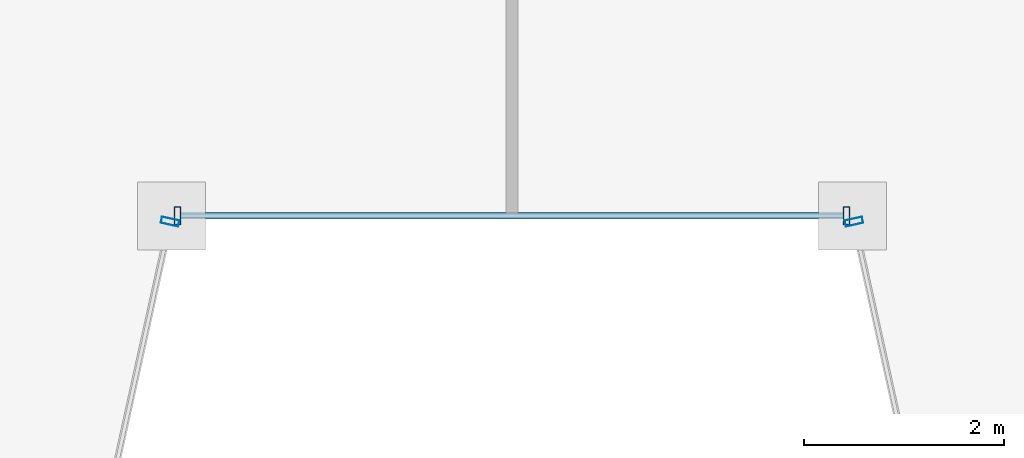
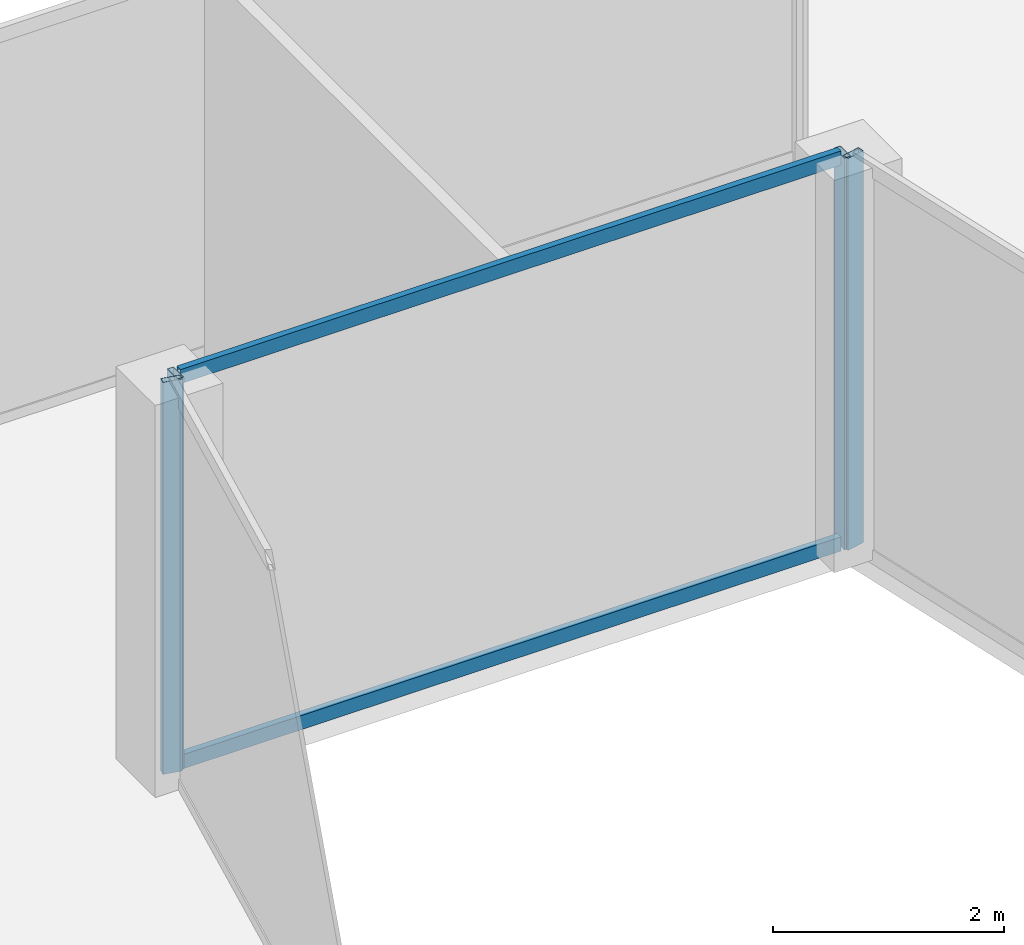
# One storey, part 9 of 40: 6 members, 3 elements without a shape of their own.
"""IFC4 building model written with IfcOpenShell, lengths in metres."""

from ifc_helpers import new_model, si_unit, direction, frame, origin, origin_2d, place, context, subcontext, project, spatial, hollow_rectangle, extrude, material, material_profile, profile_set, type_object, element, aggregate, save


model = new_model("IFC4")

# Units and contexts
model_context = context("Model", 3, precision=1e-05, world=origin(), true_north=direction((0.0, 1.0)))
body_context = subcontext(model_context, "Body", "Model", "MODEL_VIEW")
ifc_project = project(units=[si_unit("LENGTHUNIT", "METRE"), si_unit("AREAUNIT", "SQUARE_METRE"), si_unit("VOLUMEUNIT", "CUBIC_METRE"), si_unit("PLANEANGLEUNIT", "RADIAN"), si_unit("MASSUNIT", "GRAM", prefix="KILO")], contexts=[model_context])

# Site, building, storey
site_placement = place(None, origin())
site = spatial("IfcSite", under=ifc_project, at=site_placement, CompositionType="ELEMENT")
building_placement = place(site_placement, origin())
building = spatial("IfcBuilding", under=site, at=building_placement, Name="Saevonmaru Cultural Tower", CompositionType="ELEMENT")
storey_placement = place(building_placement, frame((0.0, 0.0, 97.199951171875)))
storey = spatial("IfcBuildingStorey", under=building, at=storey_placement, Name="L20", CompositionType="ELEMENT", Elevation=97.199951171875)

# Curtain wall, member
ifc_material = material(Name="Satin Bronze Anodised Aluminium", Category="aluminium")
curtain_wall_type = type_object("IfcCurtainWallType", Name="CW-TYP-A", PredefinedType="NOTDEFINED", material=ifc_material)
curtain_wall_1_placement = place(storey_placement, origin())
curtain_wall_1 = element("IfcCurtainWall", 1, at=curtain_wall_1_placement, inside=storey, type_object=curtain_wall_type, Name="L20 Unitised Curtain Wall E3", PredefinedType="NOTDEFINED")
ifc_material_profile_1 = material_profile(ifc_material, hollow_rectangle(XDim=0.06494140625, YDim=0.179931640625, WallThickness=0.00390625, at=origin_2d()), Name="ALU-MULL-180x65x4")
ifc_profile_set_1 = profile_set([ifc_material_profile_1], Name="Satin Bronze Anodised Aluminium")
member_type_1 = type_object("IfcMemberType", Name="ML-CW-180x65", PredefinedType="MULLION", material=ifc_profile_set_1)
member_1_placement = place(storey_placement, frame((26.587158203125, 15.54150390625, 0.0), z_axis=(0.0, 0.0, 1.0), x_axis=(0.215413319953, 0.976522965212, 0.0)))
member_1 = element("IfcMember", 2, at=member_1_placement, type_object=member_type_1, Name="CW-TW-L20-E3 mullion 2", PredefinedType="MULLION", context=body_context, shape_type="SweptSolid", body=[
    extrude(hollow_rectangle(XDim=0.06494140625, YDim=0.179931640625, WallThickness=0.00390625, at=origin_2d()), origin(), (0.0, 0.0, 1.0), 4.150146484375),
])
aggregate(curtain_wall_1, [member_1])

# Curtain wall, members
curtain_wall_2_placement = place(storey_placement, origin())
curtain_wall_2 = element("IfcCurtainWall", 3, at=curtain_wall_2_placement, inside=storey, type_object=curtain_wall_type, Name="L20 Unitised Curtain Wall E4", PredefinedType="NOTDEFINED")
member_2_placement = place(storey_placement, frame((26.659912109375, 15.60009765625, 0.0), z_axis=(0.0, 0.0, 1.0), x_axis=(1.0, 0.0, 0.0)))
member_2 = element("IfcMember", 4, at=member_2_placement, type_object=member_type_1, Name="CW-TW-L20-E4 mullion 1", PredefinedType="MULLION", context=body_context, shape_type="SweptSolid", body=[
    extrude(hollow_rectangle(XDim=0.06494140625, YDim=0.179931640625, WallThickness=0.00390625, at=origin_2d()), origin(), (0.0, 0.0, 1.0), 4.150146484375),
])
member_3_placement = place(storey_placement, frame((33.340087890625, 15.60009765625, 0.0), z_axis=(0.0, 0.0, 1.0), x_axis=(1.0, 0.0, 0.0)))
member_3 = element("IfcMember", 5, at=member_3_placement, type_object=member_type_1, Name="CW-TW-L20-E4 mullion 2", PredefinedType="MULLION", context=body_context, shape_type="SweptSolid", body=[
    extrude(hollow_rectangle(XDim=0.06494140625, YDim=0.179931640625, WallThickness=0.00390625, at=origin_2d()), origin(), (0.0, 0.0, 1.0), 4.150146484375),
])

# Curtain wall, member
curtain_wall_3_placement = place(storey_placement, origin())
curtain_wall_3 = element("IfcCurtainWall", 6, at=curtain_wall_3_placement, inside=storey, type_object=curtain_wall_type, Name="L20 Unitised Curtain Wall E5", PredefinedType="NOTDEFINED")
member_4_placement = place(storey_placement, frame((33.412841796875, 15.54150390625, 0.0), z_axis=(0.0, 0.0, 1.0), x_axis=(0.215413319953, -0.976522965212, 0.0)))
member_4 = element("IfcMember", 7, at=member_4_placement, type_object=member_type_1, Name="CW-TW-L20-E5 mullion 1", PredefinedType="MULLION", context=body_context, shape_type="SweptSolid", body=[
    extrude(hollow_rectangle(XDim=0.06494140625, YDim=0.179931640625, WallThickness=0.00390625, at=origin_2d()), origin(), (0.0, 0.0, 1.0), 4.150146484375),
])
aggregate(curtain_wall_3, [member_4])

# Member
ifc_material_profile_2 = material_profile(ifc_material, hollow_rectangle(XDim=0.06494140625, YDim=0.14990234375, WallThickness=0.00390625, at=origin_2d()), Name="ALU-TRAN-150x65x4")
ifc_profile_set_2 = profile_set([ifc_material_profile_2], Name="Satin Bronze Anodised Aluminium")
member_type_2 = type_object("IfcMemberType", Name="TR-CW-150x65", PredefinedType="USERDEFINED", material=ifc_profile_set_2)
member_5_placement = place(storey_placement, frame((26.6923828125, 15.60009765625, 0.032470703125), z_axis=(1.0, 0.0, 0.0), x_axis=(0.0, 1.0, 0.0)))
member_5 = element("IfcMember", 8, at=member_5_placement, type_object=member_type_2, Name="CW-TW-L20-E4 transom 1.1", ObjectType="TRANSOM", PredefinedType="USERDEFINED", context=body_context, shape_type="SweptSolid", body=[
    extrude(hollow_rectangle(XDim=0.06494140625, YDim=0.14990234375, WallThickness=0.00390625, at=origin_2d()), origin(), (0.0, 0.0, 1.0), 6.615234375),
])

member_6_placement = place(storey_placement, frame((26.6923828125, 15.60009765625, 4.117431640625), z_axis=(1.0, 0.0, 0.0), x_axis=(0.0, 1.0, 0.0)))
member_6 = element("IfcMember", 9, at=member_6_placement, type_object=member_type_2, Name="CW-TW-L20-E4 transom 1.2", ObjectType="TRANSOM", PredefinedType="USERDEFINED", context=body_context, shape_type="SweptSolid", body=[
    extrude(hollow_rectangle(XDim=0.06494140625, YDim=0.14990234375, WallThickness=0.00390625, at=origin_2d()), origin(), (0.0, 0.0, 1.0), 6.615234375),
])

aggregate(curtain_wall_2, [member_2, member_3, member_5, member_6])

save(model, "model.ifc")
